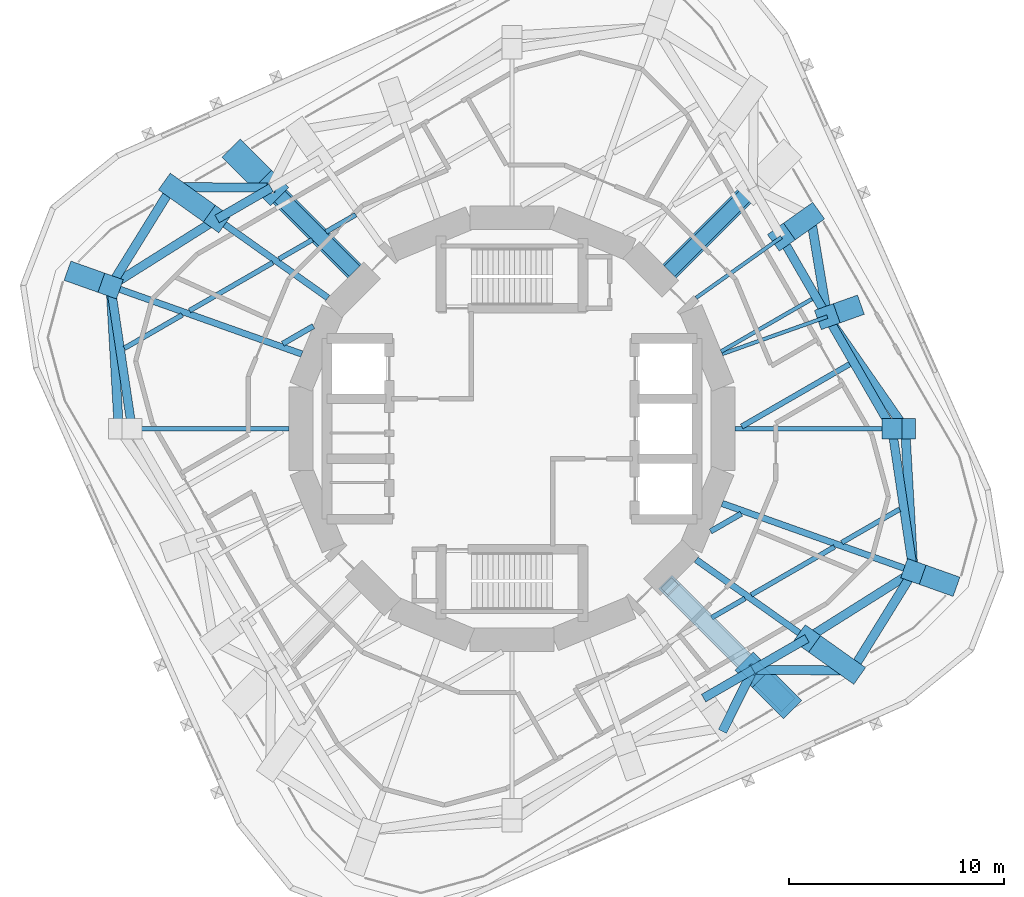
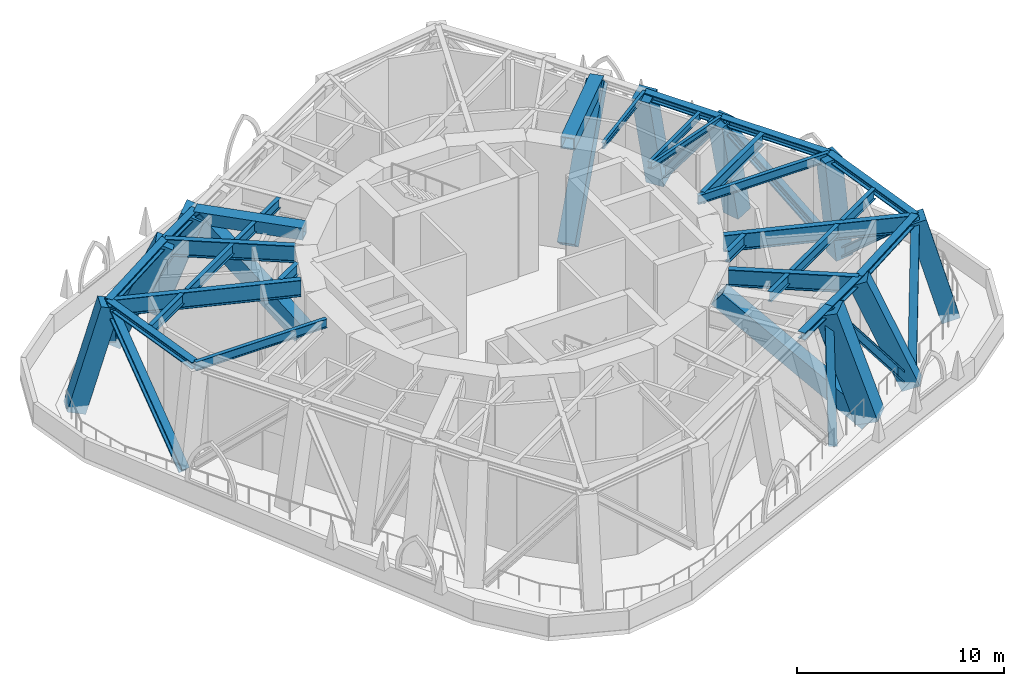
# One storey, part 2 of 10: 32 members, 19 beams.
"""IFC4 building model written with IfcOpenShell, lengths in metres."""

from ifc_helpers import new_model, si_unit, direction, frame, origin, origin_2d, place, context, subcontext, project, spatial, rectangle, hollow_rectangle, i_section, extrude, material, material_profile, profile_set, type_object, element, save


model = new_model("IFC4")

# Units and contexts
model_context = context("Model", 3, precision=1e-05, world=origin(), true_north=direction((0.0, 1.0)))
body_context = subcontext(model_context, "Body", "Model", "MODEL_VIEW")
ifc_project = project(units=[si_unit("LENGTHUNIT", "METRE"), si_unit("AREAUNIT", "SQUARE_METRE"), si_unit("VOLUMEUNIT", "CUBIC_METRE"), si_unit("PLANEANGLEUNIT", "RADIAN"), si_unit("MASSUNIT", "GRAM", prefix="KILO")], contexts=[model_context])

# Site, building, storey
site_placement = place(None, origin())
site = spatial("IfcSite", under=ifc_project, at=site_placement, CompositionType="ELEMENT")
building_placement = place(site_placement, origin())
building = spatial("IfcBuilding", under=site, at=building_placement, Name="Nakasero Lantern House", CompositionType="ELEMENT")
storey_placement = place(building_placement, frame((0.0, 0.0, 217.10009765625)))
storey = spatial("IfcBuildingStorey", under=building, at=storey_placement, Name="L53", CompositionType="ELEMENT", Elevation=217.10009765625)

# Members
ifc_material_1 = material(Name="Steel S355", Category="steel")
ifc_material_profile_1 = material_profile(ifc_material_1, i_section(OverallWidth=0.406982421875, OverallDepth=0.4189453125, WebThickness=0.030517578125, FlangeThickness=0.04931640625, FilletRadius=0.01513671875, at=origin_2d()), Name="UC 356x406x393")
ifc_profile_set_1 = profile_set([ifc_material_profile_1], Name="Steel S355")
member_type_1 = type_object("IfcMemberType", Name="Belt truss chord UC 356x406x393", PredefinedType="CHORD", material=ifc_profile_set_1)
member_1_placement = place(storey_placement, frame((13.711669921875, -9.75048828125, 5.59033203125), z_axis=(0.846329027393, 0.532660471024, 0.0), x_axis=(-0.532660471024, 0.846329027393, 0.0)))
element("IfcMember", 1, at=member_1_placement, inside=storey, type_object=member_type_1, Name="Belt truss top chord T5 B6-C01T", PredefinedType="CHORD", context=body_context, shape_type="SweptSolid", body=[
    extrude(i_section(OverallWidth=0.406982421875, OverallDepth=0.4189453125, WebThickness=0.030517578125, FlangeThickness=0.04931640625, FilletRadius=0.01513671875, at=origin_2d()), origin(), (0.0, 0.0, 1.0), 5.848388671875),
])
member_2_placement = place(storey_placement, frame((18.661376953125, -6.63525390625, 5.59033203125), z_axis=(-0.148208778253, 0.988956095107, 0.0), x_axis=(-0.988956095107, -0.148208778253, 0.0)))
element("IfcMember", 2, at=member_2_placement, inside=storey, type_object=member_type_1, Name="Belt truss top chord T5 B6-C02T", PredefinedType="CHORD", context=body_context, shape_type="SweptSolid", body=[
    extrude(i_section(OverallWidth=0.406982421875, OverallDepth=0.4189453125, WebThickness=0.030517578125, FlangeThickness=0.04931640625, FilletRadius=0.01513671875, at=origin_2d()), origin(), (0.0, 0.0, 1.0), 6.70947265625),
])
member_3_placement = place(storey_placement, frame((17.6669921875, 0.0, 5.59033203125), z_axis=(-0.50000924366, 0.866020066889, 0.0), x_axis=(-0.866020066889, -0.50000924366, 0.0)))
element("IfcMember", 3, at=member_3_placement, inside=storey, type_object=member_type_1, Name="Belt truss top chord T5 B6-C03T", PredefinedType="CHORD", context=body_context, shape_type="SweptSolid", body=[
    extrude(i_section(OverallWidth=0.406982421875, OverallDepth=0.4189453125, WebThickness=0.030517578125, FlangeThickness=0.04931640625, FilletRadius=0.01513671875, at=origin_2d()), origin(), (0.0, 0.0, 1.0), 6.01806640625),
])
member_4_placement = place(storey_placement, frame((14.657958984375, 5.211669921875, 5.59033203125), z_axis=(-0.500016352561, 0.866015962423, 0.0), x_axis=(-0.866015962423, -0.500016352561, 0.0)))
element("IfcMember", 4, at=member_4_placement, inside=storey, type_object=member_type_1, Name="Belt truss top chord T5 B6-C04T", PredefinedType="CHORD", context=body_context, shape_type="SweptSolid", body=[
    extrude(i_section(OverallWidth=0.406982421875, OverallDepth=0.4189453125, WebThickness=0.030517578125, FlangeThickness=0.04931640625, FilletRadius=0.01513671875, at=origin_2d()), origin(), (0.0, 0.0, 1.0), 4.266357421875),
])
member_5_placement = place(storey_placement, frame((-11.200439453125, 11.200439453125, 5.59033203125), z_axis=(-0.866011727401, -0.500023687443, 0.0), x_axis=(0.500023687443, -0.866011727401, 0.0)))
element("IfcMember", 5, at=member_5_placement, inside=storey, type_object=member_type_1, Name="Belt truss top chord T5 B6-C12T", PredefinedType="CHORD", context=body_context, shape_type="SweptSolid", body=[
    extrude(i_section(OverallWidth=0.406982421875, OverallDepth=0.4189453125, WebThickness=0.030517578125, FlangeThickness=0.04931640625, FilletRadius=0.01513671875, at=origin_2d()), origin(), (0.0, 0.0, 1.0), 2.899658203125),
])
member_6_placement = place(storey_placement, frame((-13.711669921875, 9.75048828125, 5.59033203125), z_axis=(-0.846329027393, -0.532660471024, 0.0), x_axis=(0.532660471024, -0.846329027393, 0.0)))
element("IfcMember", 6, at=member_6_placement, inside=storey, type_object=member_type_1, Name="Belt truss top chord T5 B6-C13T", PredefinedType="CHORD", context=body_context, shape_type="SweptSolid", body=[
    extrude(i_section(OverallWidth=0.406982421875, OverallDepth=0.4189453125, WebThickness=0.030517578125, FlangeThickness=0.04931640625, FilletRadius=0.01513671875, at=origin_2d()), origin(), (0.0, 0.0, 1.0), 5.848388671875),
])
member_7_placement = place(storey_placement, frame((-18.661376953125, 6.63525390625, 5.59033203125), z_axis=(0.148208778253, -0.988956095107, 0.0), x_axis=(0.988956095107, 0.148208778253, 0.0)))
element("IfcMember", 7, at=member_7_placement, inside=storey, type_object=member_type_1, Name="Belt truss top chord T5 B6-C14T", PredefinedType="CHORD", context=body_context, shape_type="SweptSolid", body=[
    extrude(i_section(OverallWidth=0.406982421875, OverallDepth=0.4189453125, WebThickness=0.030517578125, FlangeThickness=0.04931640625, FilletRadius=0.01513671875, at=origin_2d()), origin(), (0.0, 0.0, 1.0), 6.70947265625),
])
member_8_placement = place(storey_placement, frame((8.906494140625, -12.524658203125, 5.59033203125), z_axis=(0.866056658381, 0.499945861543, 0.0), x_axis=(-0.499945861543, 0.866056658381, 0.0)))
element("IfcMember", 8, at=member_8_placement, inside=storey, type_object=member_type_1, Name="Belt truss top chord T5 B6-C23T", PredefinedType="CHORD", context=body_context, shape_type="SweptSolid", body=[
    extrude(i_section(OverallWidth=0.406982421875, OverallDepth=0.4189453125, WebThickness=0.030517578125, FlangeThickness=0.04931640625, FilletRadius=0.01513671875, at=origin_2d()), origin(), (0.0, 0.0, 1.0), 2.648681640625),
])
member_9_placement = place(storey_placement, frame((11.200439453125, -11.200439453125, 5.59033203125), z_axis=(0.866011727401, 0.500023687443, 0.0), x_axis=(-0.500023687443, 0.866011727401, 0.0)))
element("IfcMember", 9, at=member_9_placement, inside=storey, type_object=member_type_1, Name="Belt truss top chord T5 B6-C24T", PredefinedType="CHORD", context=body_context, shape_type="SweptSolid", body=[
    extrude(i_section(OverallWidth=0.406982421875, OverallDepth=0.4189453125, WebThickness=0.030517578125, FlangeThickness=0.04931640625, FilletRadius=0.01513671875, at=origin_2d()), origin(), (0.0, 0.0, 1.0), 2.899658203125),
])
ifc_material_2 = material(Name="Steel S355", Category="steel")
ifc_material_profile_2 = material_profile(ifc_material_2, i_section(OverallWidth=0.424072265625, OverallDepth=0.474609375, WebThickness=0.047607421875, FlangeThickness=0.076904296875, FilletRadius=0.01513671875, at=origin_2d()), Name="UC 356x406x634")
ifc_profile_set_2 = profile_set([ifc_material_profile_2], Name="Steel S355")
member_type_2 = type_object("IfcMemberType", Name="Belt truss diagonal UC 356x406x634", PredefinedType="BRACE", material=ifc_profile_set_2)
member_10_placement = place(storey_placement, frame((15.808837890625, -11.241943359375, -0.40966796875), z_axis=(0.352842052815, 0.569819984128, 0.742164180929), x_axis=(-0.850200803315, 0.526458539718, 0.0)))
element("IfcMember", 10, at=member_10_placement, inside=storey, type_object=member_type_2, Name="Belt truss diagonal T5-01", PredefinedType="BRACE", context=body_context, shape_type="SweptSolid", body=[
    extrude(i_section(OverallWidth=0.424072265625, OverallDepth=0.474609375, WebThickness=0.047607421875, FlangeThickness=0.076904296875, FilletRadius=0.01513671875, at=origin_2d()), origin(), (0.0, 0.0, 1.0), 8.08447265625),
])
member_11_placement = place(storey_placement, frame((18.661376953125, -6.63525390625, 5.59033203125), z_axis=(-0.042535764631, 0.741049366116, -0.670101892033), x_axis=(-0.998356715794, -0.057305043662, 0.0)))
element("IfcMember", 11, at=member_11_placement, inside=storey, type_object=member_type_2, Name="Belt truss diagonal T5-02", PredefinedType="BRACE", context=body_context, shape_type="SweptSolid", body=[
    extrude(i_section(OverallWidth=0.424072265625, OverallDepth=0.474609375, WebThickness=0.047607421875, FlangeThickness=0.076904296875, FilletRadius=0.01513671875, at=origin_2d()), origin(), (0.0, 0.0, 1.0), 8.953857421875),
])
member_12_placement = place(storey_placement, frame((18.280517578125, 0.0, -0.40966796875), z_axis=(-0.414760561963, 0.59670398411, 0.686962904084), x_axis=(-0.821123096847, -0.570751136507, 0.0)))
element("IfcMember", 12, at=member_12_placement, inside=storey, type_object=member_type_2, Name="Belt truss diagonal T5-03", PredefinedType="BRACE", context=body_context, shape_type="SweptSolid", body=[
    extrude(i_section(OverallWidth=0.424072265625, OverallDepth=0.474609375, WebThickness=0.047607421875, FlangeThickness=0.076904296875, FilletRadius=0.01513671875, at=origin_2d()), origin(), (0.0, 0.0, 1.0), 8.734130859375),
])
member_13_placement = place(storey_placement, frame((14.657958984375, 5.211669921875, 5.59033203125), z_axis=(-0.101268597524, 0.610392635641, -0.785598817152), x_axis=(-0.986515133653, -0.163670067736, 0.0)))
element("IfcMember", 13, at=member_13_placement, inside=storey, type_object=member_type_2, Name="Belt truss diagonal T5-04", PredefinedType="BRACE", context=body_context, shape_type="SweptSolid", body=[
    extrude(i_section(OverallWidth=0.424072265625, OverallDepth=0.474609375, WebThickness=0.047607421875, FlangeThickness=0.076904296875, FilletRadius=0.01513671875, at=origin_2d()), origin(), (0.0, 0.0, 1.0), 7.637451171875),
])
member_14_placement = place(storey_placement, frame((-11.200439453125, 11.200439453125, 5.59033203125), z_axis=(-0.609121289695, 0.005485834883, -0.793058106355), x_axis=(-0.009005780145, -0.99995944714, 0.0)))
element("IfcMember", 14, at=member_14_placement, inside=storey, type_object=member_type_2, Name="Belt truss diagonal T5-12", PredefinedType="BRACE", context=body_context, shape_type="SweptSolid", body=[
    extrude(i_section(OverallWidth=0.424072265625, OverallDepth=0.474609375, WebThickness=0.047607421875, FlangeThickness=0.076904296875, FilletRadius=0.01513671875, at=origin_2d()), origin(), (0.0, 0.0, 1.0), 7.565673828125),
])
member_15_placement = place(storey_placement, frame((-15.808837890625, 11.241943359375, -0.40966796875), z_axis=(-0.352842052815, -0.569819984128, 0.742164180929), x_axis=(0.850200803315, -0.526458539718, 0.0)))
element("IfcMember", 15, at=member_15_placement, inside=storey, type_object=member_type_2, Name="Belt truss diagonal T5-13", PredefinedType="BRACE", context=body_context, shape_type="SweptSolid", body=[
    extrude(i_section(OverallWidth=0.424072265625, OverallDepth=0.474609375, WebThickness=0.047607421875, FlangeThickness=0.076904296875, FilletRadius=0.01513671875, at=origin_2d()), origin(), (0.0, 0.0, 1.0), 8.08447265625),
])
member_16_placement = place(storey_placement, frame((-18.661376953125, 6.63525390625, 5.59033203125), z_axis=(0.042535764631, -0.741049366116, -0.670101892033), x_axis=(0.998356715794, 0.057305043662, 0.0)))
element("IfcMember", 16, at=member_16_placement, inside=storey, type_object=member_type_2, Name="Belt truss diagonal T5-14", PredefinedType="BRACE", context=body_context, shape_type="SweptSolid", body=[
    extrude(i_section(OverallWidth=0.424072265625, OverallDepth=0.474609375, WebThickness=0.047607421875, FlangeThickness=0.076904296875, FilletRadius=0.01513671875, at=origin_2d()), origin(), (0.0, 0.0, 1.0), 8.953857421875),
])
member_17_placement = place(storey_placement, frame((9.87353515625, -13.884521484375, -0.40966796875), z_axis=(0.197880245214, 0.400275145517, 0.894775511754), x_axis=(-0.896440215518, 0.443164687224, 0.0)))
element("IfcMember", 17, at=member_17_placement, inside=storey, type_object=member_type_2, Name="Belt truss diagonal T5-23", PredefinedType="BRACE", context=body_context, shape_type="SweptSolid", body=[
    extrude(i_section(OverallWidth=0.424072265625, OverallDepth=0.474609375, WebThickness=0.047607421875, FlangeThickness=0.076904296875, FilletRadius=0.01513671875, at=origin_2d()), origin(), (0.0, 0.0, 1.0), 6.70556640625),
])
member_18_placement = place(storey_placement, frame((11.200439453125, -11.200439453125, 5.59033203125), z_axis=(0.609121289695, -0.005485834883, -0.793058106355), x_axis=(0.009005780145, 0.99995944714, 0.0)))
element("IfcMember", 18, at=member_18_placement, inside=storey, type_object=member_type_2, Name="Belt truss diagonal T5-24", PredefinedType="BRACE", context=body_context, shape_type="SweptSolid", body=[
    extrude(i_section(OverallWidth=0.424072265625, OverallDepth=0.474609375, WebThickness=0.047607421875, FlangeThickness=0.076904296875, FilletRadius=0.01513671875, at=origin_2d()), origin(), (0.0, 0.0, 1.0), 7.565673828125),
])

# Beams
ifc_material_3 = material(Name="Steel S355", Category="steel")
ifc_material_profile_3 = material_profile(ifc_material_3, i_section(OverallWidth=0.177978515625, OverallDepth=0.406494140625, WebThickness=0.0078125, FlangeThickness=0.0126953125, FilletRadius=0.01025390625, at=origin_2d()), Name="UB 406x178x60")
ifc_profile_set_3 = profile_set([ifc_material_profile_3], Name="Steel S355")
beam_type_1 = type_object("IfcBeamType", Name="Infill beam UB 406x178x60", PredefinedType="JOIST", material=ifc_profile_set_3)
beam_1_placement = place(storey_placement, frame((9.72314453125, 3.5927734375, 5.5966796875), z_axis=(0.866011447264, 0.500024172624, 0.0), x_axis=(-0.500024172624, 0.866011447264, 0.0)))
element("IfcBeam", 19, at=beam_1_placement, inside=storey, type_object=beam_type_1, Name="Infill beam L54 06.1", PredefinedType="JOIST", context=body_context, shape_type="SweptSolid", body=[
    extrude(i_section(OverallWidth=0.177978515625, OverallDepth=0.406494140625, WebThickness=0.0078125, FlangeThickness=0.0126953125, FilletRadius=0.01025390625, at=origin_2d()), origin(), (0.0, 0.0, 1.0), 4.879638671875),
])
ifc_material_4 = material(Name="Steel S355", Category="steel")
ifc_material_profile_4 = material_profile(ifc_material_4, i_section(OverallWidth=0.2275390625, OverallDepth=0.6025390625, WebThickness=0.010498046875, FlangeThickness=0.014892578125, FilletRadius=0.0126953125, at=origin_2d()), Name="UB 610x229x101")
ifc_profile_set_4 = profile_set([ifc_material_profile_4], Name="Steel S355")
beam_type_2 = type_object("IfcBeamType", Name="Infill beam UB 610x229x101", PredefinedType="JOIST", material=ifc_profile_set_4)
beam_2_placement = place(storey_placement, frame((9.281494140625, -8.786376953125, 5.49853515625), z_axis=(0.866015650984, 0.500016891966, 0.0), x_axis=(-0.500016891966, 0.866015650984, 0.0)))
element("IfcBeam", 20, at=beam_2_placement, inside=storey, type_object=beam_type_2, Name="Infill beam L54 03.4", PredefinedType="JOIST", context=body_context, shape_type="SweptSolid", body=[
    extrude(i_section(OverallWidth=0.2275390625, OverallDepth=0.6025390625, WebThickness=0.010498046875, FlangeThickness=0.014892578125, FilletRadius=0.0126953125, at=origin_2d()), origin(), (0.0, 0.0, 1.0), 1.79443359375),
])
beam_3_placement = place(storey_placement, frame((11.12109375, -7.724365234375, 5.49853515625), z_axis=(0.86600911045, 0.500028219822, 0.0), x_axis=(-0.500028219822, 0.86600911045, 0.0)))
element("IfcBeam", 21, at=beam_3_placement, inside=storey, type_object=beam_type_2, Name="Infill beam L54 03.5", PredefinedType="JOIST", context=body_context, shape_type="SweptSolid", body=[
    extrude(i_section(OverallWidth=0.2275390625, OverallDepth=0.6025390625, WebThickness=0.010498046875, FlangeThickness=0.014892578125, FilletRadius=0.0126953125, at=origin_2d()), origin(), (0.0, 0.0, 1.0), 4.469482421875),
])
for number, where, z_axis, x_axis, name in (
    (22, (15.3330078125, -5.29248046875, 5.49853515625), (0.866037611359, 0.499978855264, 0.0), (-0.499978855264, 0.866037611359, 0.0), "Infill beam L54 03.6"),
    (23, (-18.021728515625, 3.740234375, 5.49853515625), (0.866037611359, 0.499978855264, 0.0), (-0.499978855264, 0.866037611359, 0.0), "Infill beam L54 10.1"),
):
    element("IfcBeam", number, at=place(storey_placement, frame(where, z_axis=z_axis, x_axis=x_axis)), inside=storey, type_object=beam_type_2, Name=name, PredefinedType="JOIST", context=body_context, shape_type="SweptSolid", body=[
        extrude(i_section(OverallWidth=0.2275390625, OverallDepth=0.6025390625, WebThickness=0.010498046875, FlangeThickness=0.014892578125, FilletRadius=0.0126953125, at=origin_2d()), origin(), (0.0, 0.0, 1.0), 3.104736328125),
    ])
beam_4_placement = place(storey_placement, frame((-14.99169921875, 5.489501953125, 5.49853515625), z_axis=(0.86600911045, 0.500028219822, 0.0), x_axis=(-0.500028219822, 0.86600911045, 0.0)))
element("IfcBeam", 24, at=beam_4_placement, inside=storey, type_object=beam_type_2, Name="Infill beam L54 10.2", PredefinedType="JOIST", context=body_context, shape_type="SweptSolid", body=[
    extrude(i_section(OverallWidth=0.2275390625, OverallDepth=0.6025390625, WebThickness=0.010498046875, FlangeThickness=0.014892578125, FilletRadius=0.0126953125, at=origin_2d()), origin(), (0.0, 0.0, 1.0), 4.469482421875),
])
beam_5_placement = place(storey_placement, frame((-10.83544921875, 7.88916015625, 5.49853515625), z_axis=(0.866015650984, 0.500016891966, 0.0), x_axis=(-0.500016891966, 0.866015650984, 0.0)))
element("IfcBeam", 25, at=beam_5_placement, inside=storey, type_object=beam_type_2, Name="Infill beam L54 10.3", PredefinedType="JOIST", context=body_context, shape_type="SweptSolid", body=[
    extrude(i_section(OverallWidth=0.2275390625, OverallDepth=0.6025390625, WebThickness=0.010498046875, FlangeThickness=0.014892578125, FilletRadius=0.0126953125, at=origin_2d()), origin(), (0.0, 0.0, 1.0), 1.79443359375),
])
beam_6_placement = place(storey_placement, frame((-8.65380859375, 9.148681640625, 5.49853515625), z_axis=(0.866008413041, 0.500029427677, 0.0), x_axis=(-0.500029427677, 0.866008413041, 0.0)))
element("IfcBeam", 26, at=beam_6_placement, inside=storey, type_object=beam_type_2, Name="Infill beam L54 10.4", PredefinedType="JOIST", context=body_context, shape_type="SweptSolid", body=[
    extrude(i_section(OverallWidth=0.2275390625, OverallDepth=0.6025390625, WebThickness=0.010498046875, FlangeThickness=0.014892578125, FilletRadius=0.0126953125, at=origin_2d()), origin(), (0.0, 0.0, 1.0), 1.6064453125),
])
ifc_material_5 = material(Name="Steel S355", Category="steel")
ifc_material_profile_5 = material_profile(ifc_material_5, i_section(OverallWidth=0.253662109375, OverallDepth=0.68359375, WebThickness=0.012451171875, FlangeThickness=0.01904296875, FilletRadius=0.01513671875, at=origin_2d()), Name="UB 686x254x140")
ifc_profile_set_5 = profile_set([ifc_material_profile_5], Name="Steel S355")
beam_type_3 = type_object("IfcBeamType", Name="Infill beam UB 686x254x140", PredefinedType="JOIST", material=ifc_profile_set_5)
beam_7_placement = place(storey_placement, frame((9.234619140625, -4.77197265625, 5.458251953125), z_axis=(0.866024987556, 0.500000720929, 0.0), x_axis=(-0.500000720929, 0.866024987556, 0.0)))
element("IfcBeam", 27, at=beam_7_placement, inside=storey, type_object=beam_type_3, Name="Infill beam L54 04.3", PredefinedType="JOIST", context=body_context, shape_type="SweptSolid", body=[
    extrude(i_section(OverallWidth=0.253662109375, OverallDepth=0.68359375, WebThickness=0.012451171875, FlangeThickness=0.01904296875, FilletRadius=0.01513671875, at=origin_2d()), origin(), (0.0, 0.0, 1.0), 1.6455078125),
])
beam_8_placement = place(storey_placement, frame((10.680908203125, 0.1044921875, 5.458251953125), z_axis=(0.866022802698, 0.500004505187, 0.0), x_axis=(-0.500004505187, 0.866022802698, 0.0)))
element("IfcBeam", 28, at=beam_8_placement, inside=storey, type_object=beam_type_3, Name="Infill beam L54 05.3", PredefinedType="JOIST", context=body_context, shape_type="SweptSolid", body=[
    extrude(i_section(OverallWidth=0.253662109375, OverallDepth=0.68359375, WebThickness=0.012451171875, FlangeThickness=0.01904296875, FilletRadius=0.01513671875, at=origin_2d()), origin(), (0.0, 0.0, 1.0), 5.79443359375),
])
beam_9_placement = place(storey_placement, frame((-10.65966796875, 3.94921875, 5.458251953125), z_axis=(0.866024987556, 0.500000720929, 0.0), x_axis=(-0.500000720929, 0.866024987556, 0.0)))
element("IfcBeam", 29, at=beam_9_placement, inside=storey, type_object=beam_type_3, Name="Infill beam L54 09.1", PredefinedType="JOIST", context=body_context, shape_type="SweptSolid", body=[
    extrude(i_section(OverallWidth=0.253662109375, OverallDepth=0.68359375, WebThickness=0.012451171875, FlangeThickness=0.01904296875, FilletRadius=0.01513671875, at=origin_2d()), origin(), (0.0, 0.0, 1.0), 1.6455078125),
])

# Members
ifc_material_6 = material(Name="Steel S355", Category="steel")
ifc_material_profile_6 = material_profile(ifc_material_6, hollow_rectangle(XDim=0.699951171875, YDim=0.699951171875, WallThickness=0.050048828125, at=origin_2d()), Name="BOX 700x700x50")
ifc_profile_set_6 = profile_set([ifc_material_profile_6], Name="Steel S355")
member_type_3 = type_object("IfcMemberType", Name="Outrigger chord BOX 700x700x50", PredefinedType="CHORD", material=ifc_profile_set_6)
for number, where, z_axis, x_axis, name in (
    (30, (11.200439453125, 11.200439453125, 5.449951171875), (-0.707106781187, -0.707106781187, 0.0), (0.707106781187, -0.707106781187, 0.0), "Outrigger chord L54 B6-C06T"),
    (31, (-11.200439453125, 11.200439453125, 5.449951171875), (0.707106781187, -0.707106781187, 0.0), (0.707106781187, 0.707106781187, 0.0), "Outrigger chord L54 B6-C12T"),
):
    element("IfcMember", number, at=place(storey_placement, frame(where, z_axis=z_axis, x_axis=x_axis)), inside=storey, type_object=member_type_3, Name=name, PredefinedType="CHORD", context=body_context, shape_type="SweptSolid", body=[
        extrude(hollow_rectangle(XDim=0.699951171875, YDim=0.699951171875, WallThickness=0.050048828125, at=origin_2d()), origin(), (0.0, 0.0, 1.0), 5.481689453125),
    ])
ifc_material_7 = material(Name="Steel S355", Category="steel")
ifc_material_profile_7 = material_profile(ifc_material_7, hollow_rectangle(XDim=0.89990234375, YDim=0.89990234375, WallThickness=0.10009765625, at=origin_2d()), Name="BOX 900x900x100")
ifc_profile_set_7 = profile_set([ifc_material_profile_7], Name="Steel S355")
member_type_4 = type_object("IfcMemberType", Name="Outrigger diagonal BOX 900x900x100", PredefinedType="BRACE", material=ifc_profile_set_7)
for number, where, z_axis, x_axis, name in (
    (32, (7.359375, 7.359375, -0.550048828125), (0.47457614987, 0.47457614987, 0.74131973935), (-0.707106781187, 0.707106781187, 0.0), "Outrigger diagonal L53 06 rising"),
    (33, (-7.359375, 7.359375, -0.550048828125), (-0.47457614987, 0.47457614987, 0.74131973935), (-0.707106781187, -0.707106781187, 0.0), "Outrigger diagonal L53 12 rising"),
):
    element("IfcMember", number, at=place(storey_placement, frame(where, z_axis=z_axis, x_axis=x_axis)), inside=storey, type_object=member_type_4, Name=name, PredefinedType="BRACE", context=body_context, shape_type="SweptSolid", body=[
        extrude(hollow_rectangle(XDim=0.89990234375, YDim=0.89990234375, WallThickness=0.10009765625, at=origin_2d()), origin(), (0.0, 0.0, 1.0), 8.09375),
    ])
member_19_placement = place(storey_placement, frame((7.32421875, -7.32421875, 5.449951171875), z_axis=(0.5530241733, -0.5530241733, -0.623160113848), x_axis=(0.707106781187, 0.707106781187, 0.0)))
element("IfcMember", 34, at=member_19_placement, inside=storey, type_object=member_type_4, Name="Outrigger diagonal L53 24 falling", PredefinedType="BRACE", context=body_context, shape_type="SweptSolid", body=[
    extrude(hollow_rectangle(XDim=0.89990234375, YDim=0.89990234375, WallThickness=0.10009765625, at=origin_2d()), origin(), (0.0, 0.0, 1.0), 9.62841796875),
])

# Beams
ifc_material_8 = material(Name="Steel S355", Category="steel")
ifc_material_profile_8 = material_profile(ifc_material_8, i_section(OverallWidth=0.300048828125, OverallDepth=0.97021484375, WebThickness=0.01611328125, FlangeThickness=0.02099609375, FilletRadius=0.030029296875, at=origin_2d()), Name="UB 1016x305x222")
ifc_profile_set_8 = profile_set([ifc_material_profile_8], Name="Steel S355")
beam_type_4 = type_object("IfcBeamType", Name="Primary beam UB 1016x305x222, span 9 to 12 m", PredefinedType="BEAM", material=ifc_profile_set_8)
for number, where, z_axis, x_axis, name in (
    (35, (18.661376953125, -6.63525390625, 5.314697265625), (-0.942215779364, 0.335006604588, 0.0), (-0.335006604588, -0.942215779364, 0.0), "Primary beam L54 B6-C02T"),
    (36, (-18.661376953125, 6.63525390625, 5.314697265625), (0.942215779364, -0.335006604588, 0.0), (0.335006604588, 0.942215779364, 0.0), "Primary beam L54 B6-C14T"),
):
    element("IfcBeam", number, at=place(storey_placement, frame(where, z_axis=z_axis, x_axis=x_axis)), inside=storey, type_object=beam_type_4, Name=name, PredefinedType="BEAM", context=body_context, shape_type="SweptSolid", body=[
        extrude(i_section(OverallWidth=0.300048828125, OverallDepth=0.97021484375, WebThickness=0.01611328125, FlangeThickness=0.02099609375, FilletRadius=0.030029296875, at=origin_2d()), origin(), (0.0, 0.0, 1.0), 9.4345703125),
    ])
ifc_material_9 = material(Name="Steel S355", Category="steel")
ifc_material_profile_9 = material_profile(ifc_material_9, i_section(OverallWidth=0.300048828125, OverallDepth=0.989990234375, WebThickness=0.0166015625, FlangeThickness=0.031005859375, FilletRadius=0.030029296875, at=origin_2d()), Name="UB 1016x305x272")
ifc_profile_set_9 = profile_set([ifc_material_profile_9], Name="Steel S355")
beam_type_5 = type_object("IfcBeamType", Name="Primary beam UB 1016x305x272, span 6 to 9 m", PredefinedType="BEAM", material=ifc_profile_set_9)
for number, where, z_axis, x_axis, name in (
    (37, (13.711669921875, -9.75048828125, 5.304931640625), (-0.814968702178, 0.579504973637, 0.0), (-0.579504973637, -0.814968702178, 0.0), "Primary beam L54 B6-C01T"),
    (38, (-13.711669921875, 9.75048828125, 5.304931640625), (0.814968702178, -0.579504973637, 0.0), (0.579504973637, 0.814968702178, 0.0), "Primary beam L54 B6-C13T"),
):
    element("IfcBeam", number, at=place(storey_placement, frame(where, z_axis=z_axis, x_axis=x_axis)), inside=storey, type_object=beam_type_5, Name=name, PredefinedType="BEAM", context=body_context, shape_type="SweptSolid", body=[
        extrude(i_section(OverallWidth=0.300048828125, OverallDepth=0.989990234375, WebThickness=0.0166015625, FlangeThickness=0.031005859375, FilletRadius=0.030029296875, at=origin_2d()), origin(), (0.0, 0.0, 1.0), 6.320556640625),
    ])
ifc_material_10 = material(Name="Steel S355", Category="steel")
ifc_material_profile_10 = material_profile(ifc_material_10, i_section(OverallWidth=0.17138671875, OverallDepth=0.35498046875, WebThickness=0.00732421875, FlangeThickness=0.011474609375, FilletRadius=0.01025390625, at=origin_2d()), Name="UB 356x171x51")
ifc_profile_set_10 = profile_set([ifc_material_profile_10], Name="Steel S355")
beam_type_6 = type_object("IfcBeamType", Name="Primary beam UB 356x171x51, span to 6 m", PredefinedType="BEAM", material=ifc_profile_set_10)
beam_10_placement = place(storey_placement, frame((14.657958984375, 5.211669921875, 5.622314453125), z_axis=(-0.942225587894, -0.334979016533, 0.0), x_axis=(0.334979016533, -0.942225587894, 0.0)))
element("IfcBeam", 39, at=beam_10_placement, inside=storey, type_object=beam_type_6, Name="Primary beam L54 B6-C04T", PredefinedType="BEAM", context=body_context, shape_type="SweptSolid", body=[
    extrude(i_section(OverallWidth=0.17138671875, OverallDepth=0.35498046875, WebThickness=0.00732421875, FlangeThickness=0.011474609375, FilletRadius=0.01025390625, at=origin_2d()), origin(), (0.0, 0.0, 1.0), 5.185546875),
])
beam_11_placement = place(storey_placement, frame((12.524658203125, 8.906494140625, 5.622314453125), z_axis=(-0.814962699342, -0.579513415446, 0.0), x_axis=(0.579513415446, -0.814962699342, 0.0)))
element("IfcBeam", 40, at=beam_11_placement, inside=storey, type_object=beam_type_6, Name="Primary beam L54 B6-C05T", PredefinedType="BEAM", context=body_context, shape_type="SweptSolid", body=[
    extrude(i_section(OverallWidth=0.17138671875, OverallDepth=0.35498046875, WebThickness=0.00732421875, FlangeThickness=0.011474609375, FilletRadius=0.01025390625, at=origin_2d()), origin(), (0.0, 0.0, 1.0), 4.8642578125),
])
ifc_material_11 = material(Name="Steel S355", Category="steel")
ifc_material_profile_11 = material_profile(ifc_material_11, i_section(OverallWidth=0.208740234375, OverallDepth=0.5283203125, WebThickness=0.009521484375, FlangeThickness=0.01318359375, FilletRadius=0.0126953125, at=origin_2d()), Name="UB 533x210x82")
ifc_profile_set_11 = profile_set([ifc_material_profile_11], Name="Steel S355")
beam_type_7 = type_object("IfcBeamType", Name="Primary beam UB 533x210x82, span 6 to 9 m", PredefinedType="BEAM", material=ifc_profile_set_11)
for number, where, z_axis, x_axis, name in (
    (41, (17.6669921875, 0.0, 5.53564453125), (-1.0, 0.0, 0.0), (0.0, -1.0, 0.0), "Primary beam L54 B6-C03T"),
    (42, (-17.6669921875, 0.0, 5.53564453125), (1.0, 0.0, 0.0), (0.0, 1.0, 0.0), "Primary beam L54 B6-C15T"),
):
    element("IfcBeam", number, at=place(storey_placement, frame(where, z_axis=z_axis, x_axis=x_axis)), inside=storey, type_object=beam_type_7, Name=name, PredefinedType="BEAM", context=body_context, shape_type="SweptSolid", body=[
        extrude(i_section(OverallWidth=0.208740234375, OverallDepth=0.5283203125, WebThickness=0.009521484375, FlangeThickness=0.01318359375, FilletRadius=0.0126953125, at=origin_2d()), origin(), (0.0, 0.0, 1.0), 7.30908203125),
    ])

# Members
ifc_material_12 = material(Name="Concrete C45/55", Category="concrete")
ifc_material_profile_12 = material_profile(ifc_material_12, rectangle(XDim=1.199951171875, YDim=1.199951171875, at=origin_2d()), Name="RC 1200x1200")
ifc_profile_set_12 = profile_set([ifc_material_profile_12], Name="Concrete C45/55")
member_type_5 = type_object("IfcMemberType", Name="Raking column RC 1200x1200 C45/55", PredefinedType="STRUT", material=ifc_profile_set_12)
for number, where, z_axis, x_axis, name in (
    (43, (-12.64892578125, 12.64892578125, -0.40966796875), (0.228466098088, -0.228466098088, 0.946364878918), (0.707106781187, 0.707106781187, 0.0), "Raking column B6-C12T L53"),
    (44, (12.64892578125, -12.64892578125, -0.40966796875), (-0.228466098088, 0.228466098088, 0.946364878918), (-0.707106781187, -0.707106781187, 0.0), "Raking column B6-C24T L53"),
):
    element("IfcMember", number, at=place(storey_placement, frame(where, z_axis=z_axis, x_axis=x_axis)), inside=storey, type_object=member_type_5, Name=name, PredefinedType="STRUT", context=body_context, shape_type="SweptSolid", body=[
        extrude(rectangle(XDim=1.199951171875, YDim=1.199951171875, at=origin_2d()), origin(), (0.0, 0.0, 1.0), 6.340087890625),
    ])
ifc_material_13 = material(Name="Concrete C45/55", Category="concrete")
ifc_material_profile_13 = material_profile(ifc_material_13, rectangle(XDim=0.949951171875, YDim=0.949951171875, at=origin_2d()), Name="RC 950x950")
ifc_profile_set_13 = profile_set([ifc_material_profile_13], Name="Concrete C45/55")
member_type_6 = type_object("IfcMemberType", Name="Raking column RC 950x950 C45/55", PredefinedType="STRUT", material=ifc_profile_set_13)
member_20_placement = place(storey_placement, frame((15.808837890625, -11.241943359375, -0.40966796875), z_axis=(-0.321228073077, 0.22844962729, 0.919033891028), x_axis=(-0.579558790212, -0.814930431809, 0.0)))
element("IfcMember", 45, at=member_20_placement, inside=storey, type_object=member_type_6, Name="Raking column B6-C01T L53", PredefinedType="STRUT", context=body_context, shape_type="SweptSolid", body=[
    extrude(rectangle(XDim=0.949951171875, YDim=0.949951171875, at=origin_2d()), origin(), (0.0, 0.0, 1.0), 6.528564453125),
])
member_21_placement = place(storey_placement, frame((20.2353515625, -7.19482421875, -0.40966796875), z_axis=(-0.252717286311, 0.089844582011, 0.963359706591), x_axis=(-0.334975068206, -0.94222699159, 0.0)))
element("IfcMember", 46, at=member_21_placement, inside=storey, type_object=member_type_6, Name="Raking column B6-C02T L53", PredefinedType="STRUT", context=body_context, shape_type="SweptSolid", body=[
    extrude(rectangle(XDim=0.949951171875, YDim=0.949951171875, at=origin_2d()), origin(), (0.0, 0.0, 1.0), 6.228271484375),
])
member_22_placement = place(storey_placement, frame((18.280517578125, 0.0, -0.40966796875), z_axis=(-0.101723806295, 0.0, 0.994812679469), x_axis=(0.0, -1.0, 0.0)))
element("IfcMember", 47, at=member_22_placement, inside=storey, type_object=member_type_6, Name="Raking column B6-C03T L53", PredefinedType="STRUT", context=body_context, shape_type="SweptSolid", body=[
    extrude(rectangle(XDim=0.949951171875, YDim=0.949951171875, at=origin_2d()), origin(), (0.0, 0.0, 1.0), 6.03125),
])
member_23_placement = place(storey_placement, frame((15.781982421875, 5.611328125, -0.40966796875), z_axis=(-0.183740614998, -0.065330883308, 0.980801336707), x_axis=(0.335013705046, -0.942213254753, 0.0)))
element("IfcMember", 48, at=member_23_placement, inside=storey, type_object=member_type_6, Name="Raking column B6-C04T L53", PredefinedType="STRUT", context=body_context, shape_type="SweptSolid", body=[
    extrude(rectangle(XDim=0.949951171875, YDim=0.949951171875, at=origin_2d()), origin(), (0.0, 0.0, 1.0), 6.117431640625),
])
member_24_placement = place(storey_placement, frame((13.884521484375, 9.87353515625, -0.40966796875), z_axis=(-0.218356803631, -0.155280305059, 0.963435692285), x_axis=(0.579534583222, -0.814947646692, 0.0)))
element("IfcMember", 49, at=member_24_placement, inside=storey, type_object=member_type_6, Name="Raking column B6-C05T L53", PredefinedType="STRUT", context=body_context, shape_type="SweptSolid", body=[
    extrude(rectangle(XDim=0.949951171875, YDim=0.949951171875, at=origin_2d()), origin(), (0.0, 0.0, 1.0), 6.227783203125),
])
member_25_placement = place(storey_placement, frame((-15.808837890625, 11.241943359375, -0.40966796875), z_axis=(0.321228073077, -0.22844962729, 0.919033891028), x_axis=(0.579558790212, 0.814930431809, 0.0)))
element("IfcMember", 50, at=member_25_placement, inside=storey, type_object=member_type_6, Name="Raking column B6-C13T L53", PredefinedType="STRUT", context=body_context, shape_type="SweptSolid", body=[
    extrude(rectangle(XDim=0.949951171875, YDim=0.949951171875, at=origin_2d()), origin(), (0.0, 0.0, 1.0), 6.528564453125),
])
member_26_placement = place(storey_placement, frame((-20.2353515625, 7.19482421875, -0.40966796875), z_axis=(0.252717286311, -0.089844582011, 0.963359706591), x_axis=(0.334975068206, 0.94222699159, 0.0)))
element("IfcMember", 51, at=member_26_placement, inside=storey, type_object=member_type_6, Name="Raking column B6-C14T L53", PredefinedType="STRUT", context=body_context, shape_type="SweptSolid", body=[
    extrude(rectangle(XDim=0.949951171875, YDim=0.949951171875, at=origin_2d()), origin(), (0.0, 0.0, 1.0), 6.228271484375),
])

save(model, "model.ifc")
